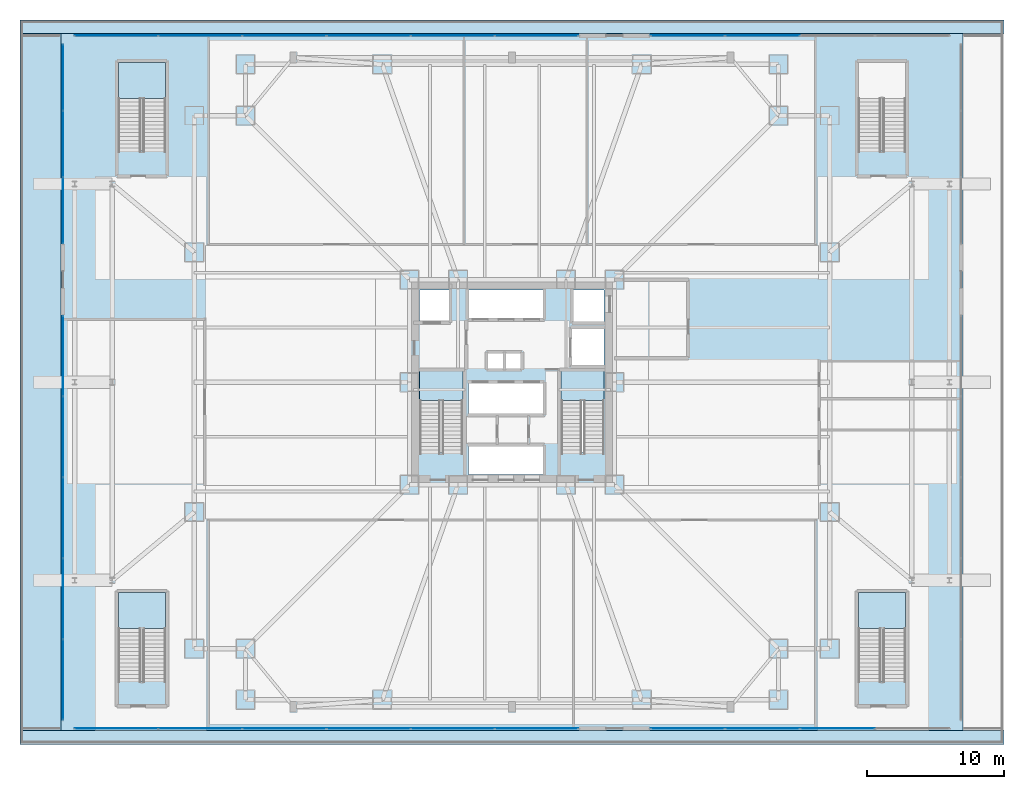
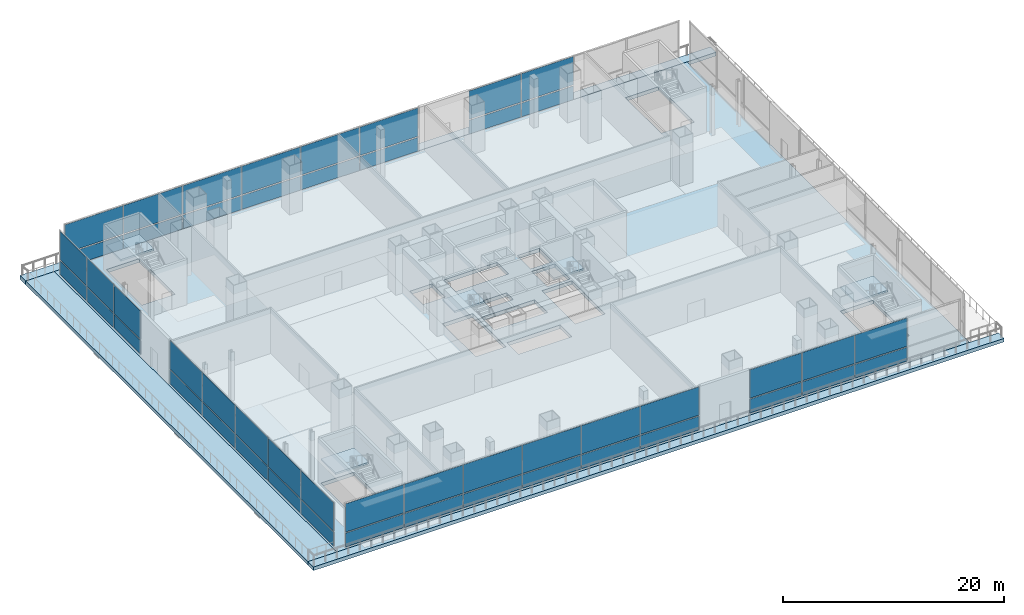
# One storey, part 20 of 36: 50 plates, 9 slabs, 11 elements without a shape of their own.
"""IFC4 building model written with IfcOpenShell, lengths in metres."""

from ifc_helpers import new_model, si_unit, direction, frame, origin, origin_2d, place, context, subcontext, project, spatial, polyline, rectangle, outline, extrude, material, layer, layer_set, type_object, element, aggregate, save


model = new_model("IFC4")

# Units and contexts
model_context = context("Model", 3, precision=1e-05, world=origin(), true_north=direction((0.0, 1.0)))
body_context = subcontext(model_context, "Body", "Model", "MODEL_VIEW")
ifc_project = project(units=[si_unit("LENGTHUNIT", "METRE"), si_unit("AREAUNIT", "SQUARE_METRE"), si_unit("VOLUMEUNIT", "CUBIC_METRE"), si_unit("PLANEANGLEUNIT", "RADIAN"), si_unit("MASSUNIT", "GRAM", prefix="KILO")], contexts=[model_context])

# Site, building, storey
site_placement = place(None, origin())
site = spatial("IfcSite", under=ifc_project, at=site_placement, CompositionType="ELEMENT")
building_placement = place(site_placement, origin())
building = spatial("IfcBuilding", under=site, at=building_placement, Name="Trevonay Congress Spire", CompositionType="ELEMENT")
storey_placement = place(building_placement, frame((0.0, 0.0, 16.199951171875)))
storey = spatial("IfcBuildingStorey", under=building, at=storey_placement, Name="L03", CompositionType="ELEMENT", Elevation=16.199951171875)

# Curtain wall, plates
ifc_material_1 = material(Name="Pale Anodised Aluminium EN AW-6063-T6", Category="aluminium")
ifc_layer_1 = layer(ifc_material_1, 0.179931640625, Name="Pale Anodised Aluminium EN AW-6063-T6")
ifc_layer_set_1 = layer_set([ifc_layer_1], Name="Pale Anodised Aluminium EN AW-6063-T6")
curtain_wall_type = type_object("IfcCurtainWallType", Name="CW-SYS01-PODIUM-PALE-METAL", PredefinedType="NOTDEFINED", material=ifc_layer_set_1)
curtain_wall_1_placement = place(storey_placement, origin())
curtain_wall_1 = element("IfcCurtainWall", 1, at=curtain_wall_1_placement, inside=storey, type_object=curtain_wall_type, Name="L03 W1 podium curtain wall", PredefinedType="NOTDEFINED")
ifc_material_2 = material(Name="Insulated Low-E Vision Glass IGU", Category="glass")
ifc_layer_2 = layer(ifc_material_2, 0.035888671875, Name="Insulated Low-E Vision Glass IGU")
ifc_layer_set_2 = layer_set([ifc_layer_2], Name="Insulated Low-E Vision Glass IGU")
plate_type = type_object("IfcPlateType", Name="CW-PANEL-IGU36-SILVER", PredefinedType="CURTAIN_PANEL", material=ifc_layer_set_2)
plate_1_placement = place(storey_placement, frame((-32.85009765625, -21.77001953125, 0.1201171875), z_axis=(0.0, 0.0, 1.0), x_axis=(0.0, 1.0, 0.0)))
plate_1 = element("IfcPlate", 2, at=plate_1_placement, type_object=plate_type, Name="CW01 panel 1.1", PredefinedType="CURTAIN_PANEL", context=body_context, shape_type="SweptSolid", body=[
    extrude(rectangle(XDim=5.840087890625, YDim=0.035888671875, at=origin_2d()), origin(), (0.0, 0.0, 1.0), 1.52001953125),
])
plate_2_placement = place(storey_placement, frame((-32.85009765625, -21.77001953125, 1.760009765625), z_axis=(0.0, 0.0, 1.0), x_axis=(0.0, 1.0, 0.0)))
plate_2 = element("IfcPlate", 3, at=plate_2_placement, type_object=plate_type, Name="CW01 panel 1.2", PredefinedType="CURTAIN_PANEL", context=body_context, shape_type="SweptSolid", body=[
    extrude(rectangle(XDim=5.840087890625, YDim=0.035888671875, at=origin_2d()), origin(), (0.0, 0.0, 1.0), 3.1201171875),
])
plate_3_placement = place(storey_placement, frame((-32.85009765625, -15.85498046875, 0.1201171875), z_axis=(0.0, 0.0, 1.0), x_axis=(0.0, 1.0, 0.0)))
plate_3 = element("IfcPlate", 4, at=plate_3_placement, type_object=plate_type, Name="CW01 panel 2.1", PredefinedType="CURTAIN_PANEL", context=body_context, shape_type="SweptSolid", body=[
    extrude(rectangle(XDim=5.8701171875, YDim=0.035888671875, at=origin_2d()), origin(), (0.0, 0.0, 1.0), 1.52001953125),
])
plate_4_placement = place(storey_placement, frame((-32.85009765625, -15.85498046875, 1.760009765625), z_axis=(0.0, 0.0, 1.0), x_axis=(0.0, 1.0, 0.0)))
plate_4 = element("IfcPlate", 5, at=plate_4_placement, type_object=plate_type, Name="CW01 panel 2.2", PredefinedType="CURTAIN_PANEL", context=body_context, shape_type="SweptSolid", body=[
    extrude(rectangle(XDim=5.8701171875, YDim=0.035888671875, at=origin_2d()), origin(), (0.0, 0.0, 1.0), 3.1201171875),
])
plate_5_placement = place(storey_placement, frame((-32.85009765625, -9.925048828125, 0.1201171875), z_axis=(0.0, 0.0, 1.0), x_axis=(0.0, 1.0, 0.0)))
plate_5 = element("IfcPlate", 6, at=plate_5_placement, type_object=plate_type, Name="CW01 panel 3.1", PredefinedType="CURTAIN_PANEL", context=body_context, shape_type="SweptSolid", body=[
    extrude(rectangle(XDim=5.8701171875, YDim=0.035888671875, at=origin_2d()), origin(), (0.0, 0.0, 1.0), 1.52001953125),
])
plate_6_placement = place(storey_placement, frame((-32.85009765625, -9.925048828125, 1.760009765625), z_axis=(0.0, 0.0, 1.0), x_axis=(0.0, 1.0, 0.0)))
plate_6 = element("IfcPlate", 7, at=plate_6_placement, type_object=plate_type, Name="CW01 panel 3.2", PredefinedType="CURTAIN_PANEL", context=body_context, shape_type="SweptSolid", body=[
    extrude(rectangle(XDim=5.8701171875, YDim=0.035888671875, at=origin_2d()), origin(), (0.0, 0.0, 1.0), 3.1201171875),
])
plate_7_placement = place(storey_placement, frame((-32.85009765625, -3.9951171875, 0.1201171875), z_axis=(0.0, 0.0, 1.0), x_axis=(0.0, 1.0, 0.0)))
plate_7 = element("IfcPlate", 8, at=plate_7_placement, type_object=plate_type, Name="CW01 panel 4.1", PredefinedType="CURTAIN_PANEL", context=body_context, shape_type="SweptSolid", body=[
    extrude(rectangle(XDim=5.8701171875, YDim=0.035888671875, at=origin_2d()), origin(), (0.0, 0.0, 1.0), 1.52001953125),
])
plate_8_placement = place(storey_placement, frame((-32.85009765625, -3.9951171875, 1.760009765625), z_axis=(0.0, 0.0, 1.0), x_axis=(0.0, 1.0, 0.0)))
plate_8 = element("IfcPlate", 9, at=plate_8_placement, type_object=plate_type, Name="CW01 panel 4.2", PredefinedType="CURTAIN_PANEL", context=body_context, shape_type="SweptSolid", body=[
    extrude(rectangle(XDim=5.8701171875, YDim=0.035888671875, at=origin_2d()), origin(), (0.0, 0.0, 1.0), 3.1201171875),
])
plate_9_placement = place(storey_placement, frame((-32.85009765625, 1.919921875, 0.1201171875), z_axis=(0.0, 0.0, 1.0), x_axis=(0.0, 1.0, 0.0)))
plate_9 = element("IfcPlate", 10, at=plate_9_placement, type_object=plate_type, Name="CW01 panel 5.1", PredefinedType="CURTAIN_PANEL", context=body_context, shape_type="SweptSolid", body=[
    extrude(rectangle(XDim=5.840087890625, YDim=0.035888671875, at=origin_2d()), origin(), (0.0, 0.0, 1.0), 1.52001953125),
])
plate_10_placement = place(storey_placement, frame((-32.85009765625, 1.919921875, 1.760009765625), z_axis=(0.0, 0.0, 1.0), x_axis=(0.0, 1.0, 0.0)))
plate_10 = element("IfcPlate", 11, at=plate_10_placement, type_object=plate_type, Name="CW01 panel 5.2", PredefinedType="CURTAIN_PANEL", context=body_context, shape_type="SweptSolid", body=[
    extrude(rectangle(XDim=5.840087890625, YDim=0.035888671875, at=origin_2d()), origin(), (0.0, 0.0, 1.0), 3.1201171875),
])
aggregate(curtain_wall_1, [plate_1, plate_2, plate_3, plate_4, plate_5, plate_6, plate_7, plate_8, plate_9, plate_10])

curtain_wall_2_placement = place(storey_placement, origin())
curtain_wall_2 = element("IfcCurtainWall", 12, at=curtain_wall_2_placement, inside=storey, type_object=curtain_wall_type, Name="L03 W2 podium curtain wall", PredefinedType="NOTDEFINED")
plate_11_placement = place(storey_placement, frame((-32.85009765625, 12.556640625, 0.1201171875), z_axis=(0.0, 0.0, 1.0), x_axis=(0.0, 1.0, 0.0)))
plate_11 = element("IfcPlate", 13, at=plate_11_placement, type_object=plate_type, Name="CW01 panel 1.1", PredefinedType="CURTAIN_PANEL", context=body_context, shape_type="SweptSolid", body=[
    extrude(rectangle(XDim=4.793212890625, YDim=0.035888671875, at=origin_2d()), origin(), (0.0, 0.0, 1.0), 1.52001953125),
])
plate_12_placement = place(storey_placement, frame((-32.85009765625, 12.556640625, 1.760009765625), z_axis=(0.0, 0.0, 1.0), x_axis=(0.0, 1.0, 0.0)))
plate_12 = element("IfcPlate", 14, at=plate_12_placement, type_object=plate_type, Name="CW01 panel 1.2", PredefinedType="CURTAIN_PANEL", context=body_context, shape_type="SweptSolid", body=[
    extrude(rectangle(XDim=4.793212890625, YDim=0.035888671875, at=origin_2d()), origin(), (0.0, 0.0, 1.0), 3.1201171875),
])
plate_13_placement = place(storey_placement, frame((-32.85009765625, 17.425048828125, 0.1201171875), z_axis=(0.0, 0.0, 1.0), x_axis=(0.0, 1.0, 0.0)))
plate_13 = element("IfcPlate", 15, at=plate_13_placement, type_object=plate_type, Name="CW01 panel 2.1", PredefinedType="CURTAIN_PANEL", context=body_context, shape_type="SweptSolid", body=[
    extrude(rectangle(XDim=4.8232421875, YDim=0.035888671875, at=origin_2d()), origin(), (0.0, 0.0, 1.0), 1.52001953125),
])
plate_14_placement = place(storey_placement, frame((-32.85009765625, 17.425048828125, 1.760009765625), z_axis=(0.0, 0.0, 1.0), x_axis=(0.0, 1.0, 0.0)))
plate_14 = element("IfcPlate", 16, at=plate_14_placement, type_object=plate_type, Name="CW01 panel 2.2", PredefinedType="CURTAIN_PANEL", context=body_context, shape_type="SweptSolid", body=[
    extrude(rectangle(XDim=4.8232421875, YDim=0.035888671875, at=origin_2d()), origin(), (0.0, 0.0, 1.0), 3.1201171875),
])
plate_15_placement = place(storey_placement, frame((-32.85009765625, 22.293212890625, 0.1201171875), z_axis=(0.0, 0.0, 1.0), x_axis=(0.0, 1.0, 0.0)))
plate_15 = element("IfcPlate", 17, at=plate_15_placement, type_object=plate_type, Name="CW01 panel 3.1", PredefinedType="CURTAIN_PANEL", context=body_context, shape_type="SweptSolid", body=[
    extrude(rectangle(XDim=4.793212890625, YDim=0.035888671875, at=origin_2d()), origin(), (0.0, 0.0, 1.0), 1.52001953125),
])
plate_16_placement = place(storey_placement, frame((-32.85009765625, 22.293212890625, 1.760009765625), z_axis=(0.0, 0.0, 1.0), x_axis=(0.0, 1.0, 0.0)))
plate_16 = element("IfcPlate", 18, at=plate_16_placement, type_object=plate_type, Name="CW01 panel 3.2", PredefinedType="CURTAIN_PANEL", context=body_context, shape_type="SweptSolid", body=[
    extrude(rectangle(XDim=4.793212890625, YDim=0.035888671875, at=origin_2d()), origin(), (0.0, 0.0, 1.0), 3.1201171875),
])
aggregate(curtain_wall_2, [plate_11, plate_12, plate_13, plate_14, plate_15, plate_16])

curtain_wall_3_placement = place(storey_placement, origin())
curtain_wall_3 = element("IfcCurtainWall", 19, at=curtain_wall_3_placement, inside=storey, type_object=curtain_wall_type, Name="L03 S1 podium curtain wall", PredefinedType="NOTDEFINED")
plate_17_placement = place(storey_placement, frame((-28.955810546875, -25.35009765625, 0.1201171875), z_axis=(0.0, 0.0, 1.0), x_axis=(1.0, 0.0, 0.0)))
plate_17 = element("IfcPlate", 20, at=plate_17_placement, type_object=plate_type, Name="CW01 panel 1.1", PredefinedType="CURTAIN_PANEL", context=body_context, shape_type="SweptSolid", body=[
    extrude(rectangle(XDim=6.068359375, YDim=0.035888671875, at=origin_2d()), origin(), (0.0, 0.0, 1.0), 1.52001953125),
])
plate_18_placement = place(storey_placement, frame((-28.955810546875, -25.35009765625, 1.760009765625), z_axis=(0.0, 0.0, 1.0), x_axis=(1.0, 0.0, 0.0)))
plate_18 = element("IfcPlate", 21, at=plate_18_placement, type_object=plate_type, Name="CW01 panel 1.2", PredefinedType="CURTAIN_PANEL", context=body_context, shape_type="SweptSolid", body=[
    extrude(rectangle(XDim=6.068359375, YDim=0.035888671875, at=origin_2d()), origin(), (0.0, 0.0, 1.0), 3.1201171875),
])
plate_19_placement = place(storey_placement, frame((-22.8125, -25.35009765625, 0.1201171875), z_axis=(0.0, 0.0, 1.0), x_axis=(1.0, 0.0, 0.0)))
plate_19 = element("IfcPlate", 22, at=plate_19_placement, type_object=plate_type, Name="CW01 panel 2.1", PredefinedType="CURTAIN_PANEL", context=body_context, shape_type="SweptSolid", body=[
    extrude(rectangle(XDim=6.098388671875, YDim=0.035888671875, at=origin_2d()), origin(), (0.0, 0.0, 1.0), 1.52001953125),
])
plate_20_placement = place(storey_placement, frame((-22.8125, -25.35009765625, 1.760009765625), z_axis=(0.0, 0.0, 1.0), x_axis=(1.0, 0.0, 0.0)))
plate_20 = element("IfcPlate", 23, at=plate_20_placement, type_object=plate_type, Name="CW01 panel 2.2", PredefinedType="CURTAIN_PANEL", context=body_context, shape_type="SweptSolid", body=[
    extrude(rectangle(XDim=6.098388671875, YDim=0.035888671875, at=origin_2d()), origin(), (0.0, 0.0, 1.0), 3.1201171875),
])
plate_21_placement = place(storey_placement, frame((-16.654052734375, -25.35009765625, 0.1201171875), z_axis=(0.0, 0.0, 1.0), x_axis=(1.0, 0.0, 0.0)))
plate_21 = element("IfcPlate", 24, at=plate_21_placement, type_object=plate_type, Name="CW01 panel 3.1", PredefinedType="CURTAIN_PANEL", context=body_context, shape_type="SweptSolid", body=[
    extrude(rectangle(XDim=6.098388671875, YDim=0.035888671875, at=origin_2d()), origin(), (0.0, 0.0, 1.0), 1.52001953125),
])
plate_22_placement = place(storey_placement, frame((-16.654052734375, -25.35009765625, 1.760009765625), z_axis=(0.0, 0.0, 1.0), x_axis=(1.0, 0.0, 0.0)))
plate_22 = element("IfcPlate", 25, at=plate_22_placement, type_object=plate_type, Name="CW01 panel 3.2", PredefinedType="CURTAIN_PANEL", context=body_context, shape_type="SweptSolid", body=[
    extrude(rectangle(XDim=6.098388671875, YDim=0.035888671875, at=origin_2d()), origin(), (0.0, 0.0, 1.0), 3.1201171875),
])
plate_23_placement = place(storey_placement, frame((-10.495849609375, -25.35009765625, 0.1201171875), z_axis=(0.0, 0.0, 1.0), x_axis=(1.0, 0.0, 0.0)))
plate_23 = element("IfcPlate", 26, at=plate_23_placement, type_object=plate_type, Name="CW01 panel 4.1", PredefinedType="CURTAIN_PANEL", context=body_context, shape_type="SweptSolid", body=[
    extrude(rectangle(XDim=6.098388671875, YDim=0.035888671875, at=origin_2d()), origin(), (0.0, 0.0, 1.0), 1.52001953125),
])
plate_24_placement = place(storey_placement, frame((-10.495849609375, -25.35009765625, 1.760009765625), z_axis=(0.0, 0.0, 1.0), x_axis=(1.0, 0.0, 0.0)))
plate_24 = element("IfcPlate", 27, at=plate_24_placement, type_object=plate_type, Name="CW01 panel 4.2", PredefinedType="CURTAIN_PANEL", context=body_context, shape_type="SweptSolid", body=[
    extrude(rectangle(XDim=6.098388671875, YDim=0.035888671875, at=origin_2d()), origin(), (0.0, 0.0, 1.0), 3.1201171875),
])
plate_25_placement = place(storey_placement, frame((-4.33740234375, -25.35009765625, 0.1201171875), z_axis=(0.0, 0.0, 1.0), x_axis=(1.0, 0.0, 0.0)))
plate_25 = element("IfcPlate", 28, at=plate_25_placement, type_object=plate_type, Name="CW01 panel 5.1", PredefinedType="CURTAIN_PANEL", context=body_context, shape_type="SweptSolid", body=[
    extrude(rectangle(XDim=6.098388671875, YDim=0.035888671875, at=origin_2d()), origin(), (0.0, 0.0, 1.0), 1.52001953125),
])
plate_26_placement = place(storey_placement, frame((-4.33740234375, -25.35009765625, 1.760009765625), z_axis=(0.0, 0.0, 1.0), x_axis=(1.0, 0.0, 0.0)))
plate_26 = element("IfcPlate", 29, at=plate_26_placement, type_object=plate_type, Name="CW01 panel 5.2", PredefinedType="CURTAIN_PANEL", context=body_context, shape_type="SweptSolid", body=[
    extrude(rectangle(XDim=6.098388671875, YDim=0.035888671875, at=origin_2d()), origin(), (0.0, 0.0, 1.0), 3.1201171875),
])
plate_27_placement = place(storey_placement, frame((1.805908203125, -25.35009765625, 0.1201171875), z_axis=(0.0, 0.0, 1.0), x_axis=(1.0, 0.0, 0.0)))
plate_27 = element("IfcPlate", 30, at=plate_27_placement, type_object=plate_type, Name="CW01 panel 6.1", PredefinedType="CURTAIN_PANEL", context=body_context, shape_type="SweptSolid", body=[
    extrude(rectangle(XDim=6.068359375, YDim=0.035888671875, at=origin_2d()), origin(), (0.0, 0.0, 1.0), 1.52001953125),
])
plate_28_placement = place(storey_placement, frame((1.805908203125, -25.35009765625, 1.760009765625), z_axis=(0.0, 0.0, 1.0), x_axis=(1.0, 0.0, 0.0)))
plate_28 = element("IfcPlate", 31, at=plate_28_placement, type_object=plate_type, Name="CW01 panel 6.2", PredefinedType="CURTAIN_PANEL", context=body_context, shape_type="SweptSolid", body=[
    extrude(rectangle(XDim=6.068359375, YDim=0.035888671875, at=origin_2d()), origin(), (0.0, 0.0, 1.0), 3.1201171875),
])
aggregate(curtain_wall_3, [plate_17, plate_18, plate_19, plate_20, plate_21, plate_22, plate_23, plate_24, plate_25, plate_26, plate_27, plate_28])

curtain_wall_4_placement = place(storey_placement, origin())
curtain_wall_4 = element("IfcCurtainWall", 32, at=curtain_wall_4_placement, inside=storey, type_object=curtain_wall_type, Name="L03 S2 podium curtain wall", PredefinedType="NOTDEFINED")
plate_29_placement = place(storey_placement, frame((12.858642578125, -25.35009765625, 0.1201171875), z_axis=(0.0, 0.0, 1.0), x_axis=(1.0, 0.0, 0.0)))
plate_29 = element("IfcPlate", 33, at=plate_29_placement, type_object=plate_type, Name="CW01 panel 1.1", PredefinedType="CURTAIN_PANEL", context=body_context, shape_type="SweptSolid", body=[
    extrude(rectangle(XDim=5.3974609375, YDim=0.035888671875, at=origin_2d()), origin(), (0.0, 0.0, 1.0), 1.52001953125),
])
plate_30_placement = place(storey_placement, frame((12.858642578125, -25.35009765625, 1.760009765625), z_axis=(0.0, 0.0, 1.0), x_axis=(1.0, 0.0, 0.0)))
plate_30 = element("IfcPlate", 34, at=plate_30_placement, type_object=plate_type, Name="CW01 panel 1.2", PredefinedType="CURTAIN_PANEL", context=body_context, shape_type="SweptSolid", body=[
    extrude(rectangle(XDim=5.3974609375, YDim=0.035888671875, at=origin_2d()), origin(), (0.0, 0.0, 1.0), 3.1201171875),
])
plate_31_placement = place(storey_placement, frame((18.331298828125, -25.35009765625, 0.1201171875), z_axis=(0.0, 0.0, 1.0), x_axis=(1.0, 0.0, 0.0)))
plate_31 = element("IfcPlate", 35, at=plate_31_placement, type_object=plate_type, Name="CW01 panel 2.1", PredefinedType="CURTAIN_PANEL", context=body_context, shape_type="SweptSolid", body=[
    extrude(rectangle(XDim=5.427490234375, YDim=0.035888671875, at=origin_2d()), origin(), (0.0, 0.0, 1.0), 1.52001953125),
])
plate_32_placement = place(storey_placement, frame((18.331298828125, -25.35009765625, 1.760009765625), z_axis=(0.0, 0.0, 1.0), x_axis=(1.0, 0.0, 0.0)))
plate_32 = element("IfcPlate", 36, at=plate_32_placement, type_object=plate_type, Name="CW01 panel 2.2", PredefinedType="CURTAIN_PANEL", context=body_context, shape_type="SweptSolid", body=[
    extrude(rectangle(XDim=5.427490234375, YDim=0.035888671875, at=origin_2d()), origin(), (0.0, 0.0, 1.0), 3.1201171875),
])
plate_33_placement = place(storey_placement, frame((23.81884765625, -25.35009765625, 0.1201171875), z_axis=(0.0, 0.0, 1.0), x_axis=(1.0, 0.0, 0.0)))
plate_33 = element("IfcPlate", 37, at=plate_33_placement, type_object=plate_type, Name="CW01 panel 3.1", PredefinedType="CURTAIN_PANEL", context=body_context, shape_type="SweptSolid", body=[
    extrude(rectangle(XDim=5.427490234375, YDim=0.035888671875, at=origin_2d()), origin(), (0.0, 0.0, 1.0), 1.52001953125),
])
plate_34_placement = place(storey_placement, frame((23.81884765625, -25.35009765625, 1.760009765625), z_axis=(0.0, 0.0, 1.0), x_axis=(1.0, 0.0, 0.0)))
plate_34 = element("IfcPlate", 38, at=plate_34_placement, type_object=plate_type, Name="CW01 panel 3.2", PredefinedType="CURTAIN_PANEL", context=body_context, shape_type="SweptSolid", body=[
    extrude(rectangle(XDim=5.427490234375, YDim=0.035888671875, at=origin_2d()), origin(), (0.0, 0.0, 1.0), 3.1201171875),
])
aggregate(curtain_wall_4, [plate_29, plate_30, plate_31, plate_32, plate_33, plate_34])

curtain_wall_5_placement = place(storey_placement, origin())
curtain_wall_5 = element("IfcCurtainWall", 39, at=curtain_wall_5_placement, inside=storey, type_object=curtain_wall_type, Name="L03 N1 podium curtain wall", PredefinedType="NOTDEFINED")
plate_35_placement = place(storey_placement, frame((-28.955810546875, 25.35009765625, 0.1201171875), z_axis=(0.0, 0.0, 1.0), x_axis=(1.0, 0.0, 0.0)))
plate_35 = element("IfcPlate", 40, at=plate_35_placement, type_object=plate_type, Name="CW01 panel 1.1", PredefinedType="CURTAIN_PANEL", context=body_context, shape_type="SweptSolid", body=[
    extrude(rectangle(XDim=6.068359375, YDim=0.035888671875, at=origin_2d()), origin(), (0.0, 0.0, 1.0), 1.52001953125),
])
plate_36_placement = place(storey_placement, frame((-28.955810546875, 25.35009765625, 1.760009765625), z_axis=(0.0, 0.0, 1.0), x_axis=(1.0, 0.0, 0.0)))
plate_36 = element("IfcPlate", 41, at=plate_36_placement, type_object=plate_type, Name="CW01 panel 1.2", PredefinedType="CURTAIN_PANEL", context=body_context, shape_type="SweptSolid", body=[
    extrude(rectangle(XDim=6.068359375, YDim=0.035888671875, at=origin_2d()), origin(), (0.0, 0.0, 1.0), 3.1201171875),
])
plate_37_placement = place(storey_placement, frame((-22.8125, 25.35009765625, 0.1201171875), z_axis=(0.0, 0.0, 1.0), x_axis=(1.0, 0.0, 0.0)))
plate_37 = element("IfcPlate", 42, at=plate_37_placement, type_object=plate_type, Name="CW01 panel 2.1", PredefinedType="CURTAIN_PANEL", context=body_context, shape_type="SweptSolid", body=[
    extrude(rectangle(XDim=6.098388671875, YDim=0.035888671875, at=origin_2d()), origin(), (0.0, 0.0, 1.0), 1.52001953125),
])
plate_38_placement = place(storey_placement, frame((-22.8125, 25.35009765625, 1.760009765625), z_axis=(0.0, 0.0, 1.0), x_axis=(1.0, 0.0, 0.0)))
plate_38 = element("IfcPlate", 43, at=plate_38_placement, type_object=plate_type, Name="CW01 panel 2.2", PredefinedType="CURTAIN_PANEL", context=body_context, shape_type="SweptSolid", body=[
    extrude(rectangle(XDim=6.098388671875, YDim=0.035888671875, at=origin_2d()), origin(), (0.0, 0.0, 1.0), 3.1201171875),
])
plate_39_placement = place(storey_placement, frame((-16.654052734375, 25.35009765625, 0.1201171875), z_axis=(0.0, 0.0, 1.0), x_axis=(1.0, 0.0, 0.0)))
plate_39 = element("IfcPlate", 44, at=plate_39_placement, type_object=plate_type, Name="CW01 panel 3.1", PredefinedType="CURTAIN_PANEL", context=body_context, shape_type="SweptSolid", body=[
    extrude(rectangle(XDim=6.098388671875, YDim=0.035888671875, at=origin_2d()), origin(), (0.0, 0.0, 1.0), 1.52001953125),
])
plate_40_placement = place(storey_placement, frame((-16.654052734375, 25.35009765625, 1.760009765625), z_axis=(0.0, 0.0, 1.0), x_axis=(1.0, 0.0, 0.0)))
plate_40 = element("IfcPlate", 45, at=plate_40_placement, type_object=plate_type, Name="CW01 panel 3.2", PredefinedType="CURTAIN_PANEL", context=body_context, shape_type="SweptSolid", body=[
    extrude(rectangle(XDim=6.098388671875, YDim=0.035888671875, at=origin_2d()), origin(), (0.0, 0.0, 1.0), 3.1201171875),
])
plate_41_placement = place(storey_placement, frame((-10.495849609375, 25.35009765625, 0.1201171875), z_axis=(0.0, 0.0, 1.0), x_axis=(1.0, 0.0, 0.0)))
plate_41 = element("IfcPlate", 46, at=plate_41_placement, type_object=plate_type, Name="CW01 panel 4.1", PredefinedType="CURTAIN_PANEL", context=body_context, shape_type="SweptSolid", body=[
    extrude(rectangle(XDim=6.098388671875, YDim=0.035888671875, at=origin_2d()), origin(), (0.0, 0.0, 1.0), 1.52001953125),
])
plate_42_placement = place(storey_placement, frame((-10.495849609375, 25.35009765625, 1.760009765625), z_axis=(0.0, 0.0, 1.0), x_axis=(1.0, 0.0, 0.0)))
plate_42 = element("IfcPlate", 47, at=plate_42_placement, type_object=plate_type, Name="CW01 panel 4.2", PredefinedType="CURTAIN_PANEL", context=body_context, shape_type="SweptSolid", body=[
    extrude(rectangle(XDim=6.098388671875, YDim=0.035888671875, at=origin_2d()), origin(), (0.0, 0.0, 1.0), 3.1201171875),
])
plate_43_placement = place(storey_placement, frame((-4.33740234375, 25.35009765625, 0.1201171875), z_axis=(0.0, 0.0, 1.0), x_axis=(1.0, 0.0, 0.0)))
plate_43 = element("IfcPlate", 48, at=plate_43_placement, type_object=plate_type, Name="CW01 panel 5.1", PredefinedType="CURTAIN_PANEL", context=body_context, shape_type="SweptSolid", body=[
    extrude(rectangle(XDim=6.098388671875, YDim=0.035888671875, at=origin_2d()), origin(), (0.0, 0.0, 1.0), 1.52001953125),
])
plate_44_placement = place(storey_placement, frame((-4.33740234375, 25.35009765625, 1.760009765625), z_axis=(0.0, 0.0, 1.0), x_axis=(1.0, 0.0, 0.0)))
plate_44 = element("IfcPlate", 49, at=plate_44_placement, type_object=plate_type, Name="CW01 panel 5.2", PredefinedType="CURTAIN_PANEL", context=body_context, shape_type="SweptSolid", body=[
    extrude(rectangle(XDim=6.098388671875, YDim=0.035888671875, at=origin_2d()), origin(), (0.0, 0.0, 1.0), 3.1201171875),
])
plate_45_placement = place(storey_placement, frame((1.805908203125, 25.35009765625, 0.1201171875), z_axis=(0.0, 0.0, 1.0), x_axis=(1.0, 0.0, 0.0)))
plate_45 = element("IfcPlate", 50, at=plate_45_placement, type_object=plate_type, Name="CW01 panel 6.1", PredefinedType="CURTAIN_PANEL", context=body_context, shape_type="SweptSolid", body=[
    extrude(rectangle(XDim=6.068359375, YDim=0.035888671875, at=origin_2d()), origin(), (0.0, 0.0, 1.0), 1.52001953125),
])
plate_46_placement = place(storey_placement, frame((1.805908203125, 25.35009765625, 1.760009765625), z_axis=(0.0, 0.0, 1.0), x_axis=(1.0, 0.0, 0.0)))
plate_46 = element("IfcPlate", 51, at=plate_46_placement, type_object=plate_type, Name="CW01 panel 6.2", PredefinedType="CURTAIN_PANEL", context=body_context, shape_type="SweptSolid", body=[
    extrude(rectangle(XDim=6.068359375, YDim=0.035888671875, at=origin_2d()), origin(), (0.0, 0.0, 1.0), 3.1201171875),
])
aggregate(curtain_wall_5, [plate_35, plate_36, plate_37, plate_38, plate_39, plate_40, plate_41, plate_42, plate_43, plate_44, plate_45, plate_46])

curtain_wall_6_placement = place(storey_placement, origin())
curtain_wall_6 = element("IfcCurtainWall", 52, at=curtain_wall_6_placement, inside=storey, type_object=curtain_wall_type, Name="L03 N2 podium curtain wall", PredefinedType="NOTDEFINED")
plate_47_placement = place(storey_placement, frame((12.858642578125, 25.35009765625, 0.1201171875), z_axis=(0.0, 0.0, 1.0), x_axis=(1.0, 0.0, 0.0)))
plate_47 = element("IfcPlate", 53, at=plate_47_placement, type_object=plate_type, Name="CW01 panel 1.1", PredefinedType="CURTAIN_PANEL", context=body_context, shape_type="SweptSolid", body=[
    extrude(rectangle(XDim=5.3974609375, YDim=0.035888671875, at=origin_2d()), origin(), (0.0, 0.0, 1.0), 1.52001953125),
])
plate_48_placement = place(storey_placement, frame((12.858642578125, 25.35009765625, 1.760009765625), z_axis=(0.0, 0.0, 1.0), x_axis=(1.0, 0.0, 0.0)))
plate_48 = element("IfcPlate", 54, at=plate_48_placement, type_object=plate_type, Name="CW01 panel 1.2", PredefinedType="CURTAIN_PANEL", context=body_context, shape_type="SweptSolid", body=[
    extrude(rectangle(XDim=5.3974609375, YDim=0.035888671875, at=origin_2d()), origin(), (0.0, 0.0, 1.0), 3.1201171875),
])
plate_49_placement = place(storey_placement, frame((18.331298828125, 25.35009765625, 0.1201171875), z_axis=(0.0, 0.0, 1.0), x_axis=(1.0, 0.0, 0.0)))
plate_49 = element("IfcPlate", 55, at=plate_49_placement, type_object=plate_type, Name="CW01 panel 2.1", PredefinedType="CURTAIN_PANEL", context=body_context, shape_type="SweptSolid", body=[
    extrude(rectangle(XDim=5.427490234375, YDim=0.035888671875, at=origin_2d()), origin(), (0.0, 0.0, 1.0), 1.52001953125),
])
plate_50_placement = place(storey_placement, frame((18.331298828125, 25.35009765625, 1.760009765625), z_axis=(0.0, 0.0, 1.0), x_axis=(1.0, 0.0, 0.0)))
plate_50 = element("IfcPlate", 56, at=plate_50_placement, type_object=plate_type, Name="CW01 panel 2.2", PredefinedType="CURTAIN_PANEL", context=body_context, shape_type="SweptSolid", body=[
    extrude(rectangle(XDim=5.427490234375, YDim=0.035888671875, at=origin_2d()), origin(), (0.0, 0.0, 1.0), 3.1201171875),
])
aggregate(curtain_wall_6, [plate_47, plate_48, plate_49, plate_50])

# Stair, slab
ifc_material_3 = material(Name="Concrete C40/50", Category="concrete")
stair_type_1 = type_object("IfcStairType", Name="STR-ST-1", PredefinedType="HALF_TURN_STAIR", material=ifc_material_3)
stair_1_placement = place(storey_placement, origin())
stair_1 = element("IfcStair", 57, at=stair_1_placement, inside=storey, type_object=stair_type_1, Name="L03 Protected Exit Stair ST-1", PredefinedType="HALF_TURN_STAIR")
ifc_layer_3 = layer(ifc_material_3, 0.199951171875, Name="Concrete C40/50")
ifc_layer_set_3 = layer_set([ifc_layer_3], Name="Concrete C40/50")
slab_type_1 = type_object("IfcSlabType", Name="SLB-STAIR-LAND-200", PredefinedType="LANDING", material=ifc_layer_set_3)
slab_1_placement = place(storey_placement, frame((0.0, 0.0, 2.5)))
slab_1 = element("IfcSlab", 58, at=slab_1_placement, type_object=slab_type_1, Name="ST-1 landing 1", PredefinedType="LANDING", context=body_context, shape_type="SweptSolid", body=[
    extrude(outline(polyline([(-3.60009765625, -1.330078125), (-3.60009765625, 0.85009765625), (-6.75, 0.85009765625), (-6.75, -1.330078125), (-3.60009765625, -1.330078125)])), origin(), (0.0, 0.0, 1.0), 0.199951171875),
])
aggregate(stair_1, [slab_1])

stair_type_2 = type_object("IfcStairType", Name="STR-ST-2", PredefinedType="HALF_TURN_STAIR", material=ifc_material_3)
stair_2_placement = place(storey_placement, origin())
stair_2 = element("IfcStair", 59, at=stair_2_placement, inside=storey, type_object=stair_type_2, Name="L03 Protected Exit Stair ST-2", PredefinedType="HALF_TURN_STAIR")
slab_2_placement = place(storey_placement, frame((0.0, 0.0, 2.5)))
slab_2 = element("IfcSlab", 60, at=slab_2_placement, type_object=slab_type_1, Name="ST-2 landing 1", PredefinedType="LANDING", context=body_context, shape_type="SweptSolid", body=[
    extrude(outline(polyline([(6.75, -1.330078125), (6.75, 0.85009765625), (3.60009765625, 0.85009765625), (3.60009765625, -1.330078125), (6.75, -1.330078125)])), origin(), (0.0, 0.0, 1.0), 0.199951171875),
])
aggregate(stair_2, [slab_2])

stair_type_3 = type_object("IfcStairType", Name="STR-ST-3", PredefinedType="HALF_TURN_STAIR", material=ifc_material_3)
stair_3_placement = place(storey_placement, origin())
stair_3 = element("IfcStair", 61, at=stair_3_placement, inside=storey, type_object=stair_type_3, Name="L03 Protected Exit Stair ST-3", PredefinedType="HALF_TURN_STAIR")
slab_3_placement = place(storey_placement, frame((0.0, 0.0, 2.5)))
slab_3 = element("IfcSlab", 62, at=slab_3_placement, type_object=slab_type_1, Name="ST-3 landing 1", PredefinedType="LANDING", context=body_context, shape_type="SweptSolid", body=[
    extrude(outline(polyline([(-25.35009765625, -18.030029296875), (-25.35009765625, -15.39990234375), (-28.800048828125, -15.39990234375), (-28.800048828125, -18.030029296875), (-25.35009765625, -18.030029296875)])), origin(), (0.0, 0.0, 1.0), 0.199951171875),
])
aggregate(stair_3, [slab_3])

stair_type_4 = type_object("IfcStairType", Name="STR-ST-4", PredefinedType="HALF_TURN_STAIR", material=ifc_material_3)
stair_4_placement = place(storey_placement, origin())
stair_4 = element("IfcStair", 63, at=stair_4_placement, inside=storey, type_object=stair_type_4, Name="L03 Protected Exit Stair ST-4", PredefinedType="HALF_TURN_STAIR")
slab_4_placement = place(storey_placement, frame((0.0, 0.0, 2.5)))
slab_4 = element("IfcSlab", 64, at=slab_4_placement, type_object=slab_type_1, Name="ST-4 landing 1", PredefinedType="LANDING", context=body_context, shape_type="SweptSolid", body=[
    extrude(outline(polyline([(28.800048828125, -18.030029296875), (28.800048828125, -15.39990234375), (25.35009765625, -15.39990234375), (25.35009765625, -18.030029296875), (28.800048828125, -18.030029296875)])), origin(), (0.0, 0.0, 1.0), 0.199951171875),
])
aggregate(stair_4, [slab_4])

stair_type_5 = type_object("IfcStairType", Name="STR-ST-5", PredefinedType="HALF_TURN_STAIR", material=ifc_material_3)
stair_5_placement = place(storey_placement, origin())
stair_5 = element("IfcStair", 65, at=stair_5_placement, inside=storey, type_object=stair_type_5, Name="L03 Protected Exit Stair ST-5", PredefinedType="HALF_TURN_STAIR")
slab_5_placement = place(storey_placement, frame((0.0, 0.0, 2.5)))
slab_5 = element("IfcSlab", 66, at=slab_5_placement, type_object=slab_type_1, Name="ST-5 landing 1", PredefinedType="LANDING", context=body_context, shape_type="SweptSolid", body=[
    extrude(outline(polyline([(-25.35009765625, 20.77001953125), (-25.35009765625, 23.39990234375), (-28.800048828125, 23.39990234375), (-28.800048828125, 20.77001953125), (-25.35009765625, 20.77001953125)])), origin(), (0.0, 0.0, 1.0), 0.199951171875),
])
aggregate(stair_5, [slab_5])

# Slabs
ifc_layer_4 = layer(ifc_material_3, 0.39990234375, Name="Concrete C40/50")
ifc_layer_set_4 = layer_set([ifc_layer_4], Name="Concrete C40/50")
slab_type_2 = type_object("IfcSlabType", Name="SLB-TERR-260", PredefinedType="ROOF", material=ifc_layer_set_4)
slab_6_placement = place(storey_placement, frame((0.0, 0.0, -0.39990234375)))
element("IfcSlab", 67, at=slab_6_placement, inside=storey, type_object=slab_type_2, Name="L03 West stepped podium roof terrace", PredefinedType="ROOF", context=body_context, shape_type="SweptSolid", body=[
    extrude(outline(polyline([(-36.0, -25.5), (-33.0, -25.5), (-33.0, 25.5), (-36.0, 25.5), (-36.0, -25.5)])), origin(), (0.0, 0.0, 1.0), 0.39990234375),
])
slab_7_placement = place(storey_placement, frame((0.0, 0.0, -0.39990234375)))
element("IfcSlab", 68, at=slab_7_placement, inside=storey, type_object=slab_type_2, Name="L03 South stepped podium roof terrace", PredefinedType="ROOF", context=body_context, shape_type="SweptSolid", body=[
    extrude(outline(polyline([(-36.0, -26.5), (36.0, -26.5), (36.0, -25.5), (-36.0, -25.5), (-36.0, -26.5)])), origin(), (0.0, 0.0, 1.0), 0.39990234375),
])
slab_8_placement = place(storey_placement, frame((0.0, 0.0, -0.39990234375)))
element("IfcSlab", 69, at=slab_8_placement, inside=storey, type_object=slab_type_2, Name="L03 North stepped podium roof terrace", PredefinedType="ROOF", context=body_context, shape_type="SweptSolid", body=[
    extrude(outline(polyline([(-36.0, 25.5), (36.0, 25.5), (36.0, 26.5), (-36.0, 26.5), (-36.0, 25.5)])), origin(), (0.0, 0.0, 1.0), 0.39990234375),
])
ifc_layer_5 = layer(ifc_material_3, 0.39990234375, Name="Concrete C40/50")
ifc_layer_set_5 = layer_set([ifc_layer_5], Name="Concrete C40/50")
slab_type_3 = type_object("IfcSlabType", Name="SLB-XFER-400", PredefinedType="FLOOR", material=ifc_layer_set_5)
slab_9_placement = place(storey_placement, frame((0.0, 0.0, -0.39990234375)))
element("IfcSlab", 70, at=slab_9_placement, inside=storey, type_object=slab_type_3, Name="L03 structural floor slab", PredefinedType="FLOOR", context=body_context, shape_type="SweptSolid", body=[
    extrude(outline(polyline([(-33.0, -25.5), (33.0, -25.5), (33.0, 25.5), (-33.0, 25.5), (-33.0, -25.5)]), holes=[polyline([(-3.60009765625, -5.14990234375), (-3.60009765625, 0.85009765625), (-6.75, 0.85009765625), (-6.75, -5.14990234375), (-3.60009765625, -5.14990234375)]), polyline([(6.75, -5.14990234375), (6.75, 0.85009765625), (3.60009765625, 0.85009765625), (3.60009765625, -5.14990234375), (6.75, -5.14990234375)]), polyline([(-25.35009765625, -21.85009765625), (-25.35009765625, -15.39990234375), (-28.800048828125, -15.39990234375), (-28.800048828125, -21.85009765625), (-25.35009765625, -21.85009765625)]), polyline([(28.800048828125, -21.85009765625), (28.800048828125, -15.39990234375), (25.35009765625, -15.39990234375), (25.35009765625, -21.85009765625), (28.800048828125, -21.85009765625)]), polyline([(-25.35009765625, 16.949951171875), (-25.35009765625, 23.39990234375), (-28.800048828125, 23.39990234375), (-28.800048828125, 16.949951171875), (-25.35009765625, 16.949951171875)]), polyline([(28.800048828125, 16.949951171875), (28.800048828125, 23.39990234375), (25.35009765625, 23.39990234375), (25.35009765625, 16.949951171875), (28.800048828125, 16.949951171875)]), polyline([(-3.199951171875, -6.75), (2.340087890625, -6.75), (2.340087890625, -4.64990234375), (-3.199951171875, -4.64990234375), (-3.199951171875, -6.75)]), polyline([(-3.199951171875, -2.35009765625), (2.340087890625, -2.35009765625), (2.340087890625, -0.050048828125), (-3.199951171875, -0.050048828125), (-3.199951171875, -2.35009765625)]), polyline([(-3.199951171875, 4.64990234375), (2.340087890625, 4.64990234375), (2.340087890625, 6.75), (-3.199951171875, 6.75), (-3.199951171875, 4.64990234375)]), polyline([(-6.75, 4.35009765625), (-4.449951171875, 4.35009765625), (-4.449951171875, 6.75), (-6.75, 6.75), (-6.75, 4.35009765625)]), polyline([(4.449951171875, 4.35009765625), (6.75, 4.35009765625), (6.75, 6.75), (4.449951171875, 6.75), (4.449951171875, 4.35009765625)]), polyline([(4.35009765625, 1.199951171875), (6.75, 1.199951171875), (6.75, 3.949951171875), (4.35009765625, 3.949951171875), (4.35009765625, 1.199951171875)]), polyline([(-1.800048828125, 0.949951171875), (0.699951171875, 0.949951171875), (0.699951171875, 2.14990234375), (-1.800048828125, 2.14990234375), (-1.800048828125, 0.949951171875)])]), origin(), (0.0, 0.0, 1.0), 0.39990234375),
])

save(model, "model.ifc")
